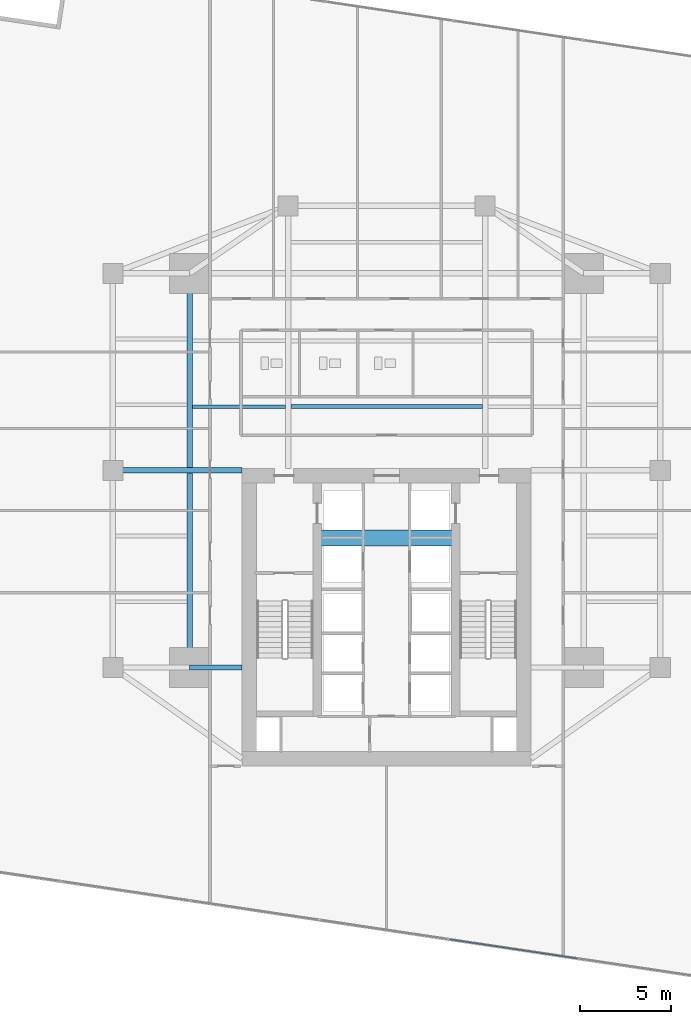
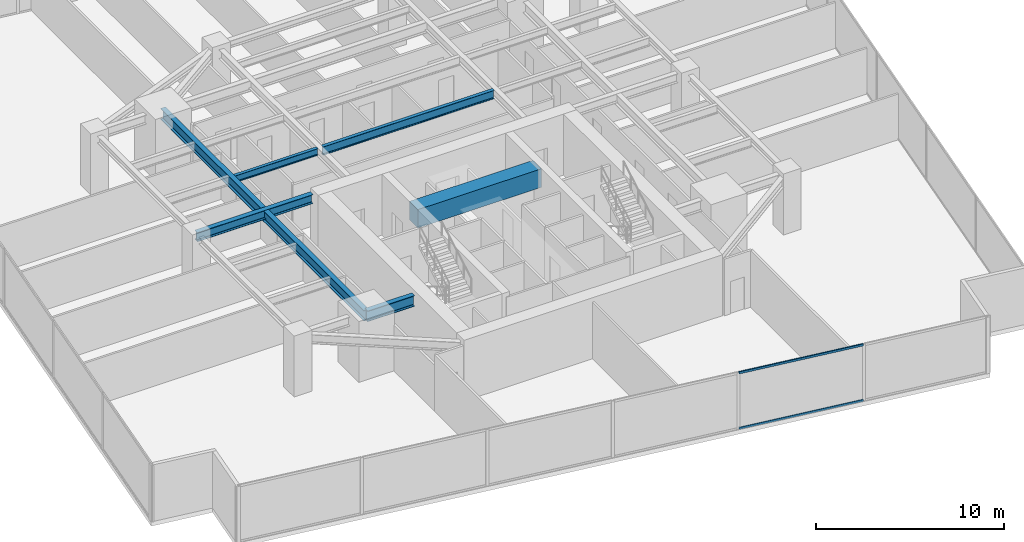
# One storey, part 9 of 29: 6 beams, 2 members, 1 element without a shape of its own.
"""IFC4 building model written with IfcOpenShell, lengths in metres."""

from ifc_helpers import new_model, si_unit, direction, frame, origin, origin_2d, place, context, subcontext, project, spatial, rectangle, hollow_rectangle, i_section, extrude, source, transform, mapped, material, material_profile, profile_set, type_object, type_shapes, element, aggregate, save


model = new_model("IFC4")

# Units and contexts
model_context = context("Model", 3, precision=1e-05, world=origin(), true_north=direction((0.0, 1.0)))
body_context = subcontext(model_context, "Body", "Model", "MODEL_VIEW")
ifc_project = project(units=[si_unit("LENGTHUNIT", "METRE"), si_unit("AREAUNIT", "SQUARE_METRE"), si_unit("VOLUMEUNIT", "CUBIC_METRE"), si_unit("PLANEANGLEUNIT", "RADIAN"), si_unit("MASSUNIT", "GRAM", prefix="KILO")], contexts=[model_context])

# Site, building, storey
site_placement = place(None, origin())
site = spatial("IfcSite", under=ifc_project, at=site_placement, CompositionType="ELEMENT")
building_placement = place(site_placement, origin())
building = spatial("IfcBuilding", under=site, at=building_placement, Name="Krantzveldt Concourse Tower", CompositionType="ELEMENT")
storey_placement = place(building_placement, frame((0.0, 0.0, 68.449951171875)))
storey = spatial("IfcBuildingStorey", under=building, at=storey_placement, Name="L16", CompositionType="ELEMENT", Elevation=68.449951171875)

# Beams
ifc_material_1 = material(Name="Concrete C50/60", Category="concrete")
ifc_material_profile_1 = material_profile(ifc_material_1, rectangle(XDim=0.89990234375, YDim=1.199951171875, at=origin_2d()), Name="Concrete C50/60", Category="concrete")
ifc_profile_set_1 = profile_set([ifc_material_profile_1], Name="Concrete C50/60 - RC-CB 900x1200")
beam_type_1 = type_object("IfcBeamType", Name="BM-CB-1200", PredefinedType="LINTEL", material=ifc_profile_set_1)
shared_shape_1 = source(origin(), body_context, "Body", "SweptSolid", [
    extrude(rectangle(XDim=0.89990234375, YDim=1.199951171875, at=origin_2d()), origin(), (0.0, 0.0, 1.0), 7.580078125),
])
type_shapes(beam_type_1, [shared_shape_1])
beam_1_placement = place(storey_placement, frame((32.2099609375, 23.0, 3.070068359375), z_axis=(1.0, 0.0, 0.0), x_axis=(0.0, 1.0, 0.0)))
element("IfcBeam", 1, at=beam_1_placement, inside=storey, type_object=beam_type_1, Name="CB-L16-01", PredefinedType="LINTEL", context=body_context, shape_type="MappedRepresentation", body=[
    mapped(shared_shape_1, transform((0.0, 0.0, 0.0), x_axis=(1.0, 0.0, 0.0), y_axis=(0.0, 1.0, 0.0), z_axis=(0.0, 0.0, 1.0), scale=1.0)),
])
ifc_material_2 = material(Name="Steel S355J2", Category="steel")
ifc_material_profile_2 = material_profile(ifc_material_2, i_section(OverallWidth=0.300048828125, OverallDepth=0.699951171875, WebThickness=0.01708984375, FlangeThickness=0.031982421875, FilletRadius=0.027099609375, at=origin_2d()), Name="Steel S355J2", Category="steel")
ifc_profile_set_2 = profile_set([ifc_material_profile_2], Name="Steel S355J2 - HEB 700")
beam_type_2 = type_object("IfcBeamType", Name="BM-B-HEB700", PredefinedType="BEAM", material=ifc_profile_set_2)
shared_shape_2 = source(origin(), body_context, "Body", "SweptSolid", [
    extrude(i_section(OverallWidth=0.300048828125, OverallDepth=0.699951171875, WebThickness=0.01708984375, FlangeThickness=0.031982421875, FilletRadius=0.027099609375, at=origin_2d()), origin(), (0.0, 0.0, 1.0), 2.880126953125),
])
beam_2_placement = place(storey_placement, frame((25.199951171875, 15.89990234375, 3.320068359375), z_axis=(1.0, 0.0, 0.0), x_axis=(0.0, 1.0, 0.0)))
element("IfcBeam", 2, at=beam_2_placement, inside=storey, type_object=beam_type_2, Name="L16 Tower Girder BG-CW1", PredefinedType="BEAM", context=body_context, shape_type="MappedRepresentation", body=[
    mapped(shared_shape_2, transform((0.0, 0.0, 0.0), x_axis=(1.0, 0.0, 0.0), y_axis=(0.0, 1.0, 0.0), z_axis=(0.0, 0.0, 1.0), scale=1.0)),
])
shared_shape_3 = source(origin(), body_context, "Body", "SweptSolid", [
    extrude(i_section(OverallWidth=0.300048828125, OverallDepth=0.699951171875, WebThickness=0.01708984375, FlangeThickness=0.031982421875, FilletRadius=0.027099609375, at=origin_2d()), origin(), (0.0, 0.0, 1.0), 21.60009765625),
])
type_shapes(beam_type_2, [shared_shape_2, shared_shape_3])
beam_3_placement = place(storey_placement, frame((25.199951171875, 15.89990234375, 3.320068359375), z_axis=(0.0, 1.0, 0.0), x_axis=(-1.0, 0.0, 0.0)))
element("IfcBeam", 3, at=beam_3_placement, inside=storey, type_object=beam_type_2, Name="L16 Tower Girder BG-MW", PredefinedType="BEAM", context=body_context, shape_type="MappedRepresentation", body=[
    mapped(shared_shape_3, transform((0.0, 0.0, 0.0), x_axis=(1.0, 0.0, 0.0), y_axis=(0.0, 1.0, 0.0), z_axis=(0.0, 0.0, 1.0), scale=1.0)),
])
ifc_material_3 = material(Name="Steel S355JR", Category="steel")
ifc_material_profile_3 = material_profile(ifc_material_3, i_section(OverallWidth=0.300048828125, OverallDepth=0.590087890625, WebThickness=0.012939453125, FlangeThickness=0.02490234375, FilletRadius=0.027099609375, at=origin_2d()), Name="Steel S355JR", Category="steel")
ifc_profile_set_3 = profile_set([ifc_material_profile_3], Name="Steel S355JR - HEA 600")
beam_type_3 = type_object("IfcBeamType", Name="BM-B-HEA600", PredefinedType="BEAM", material=ifc_profile_set_3)
shared_shape_4 = source(origin(), body_context, "Body", "SweptSolid", [
    extrude(i_section(OverallWidth=0.300048828125, OverallDepth=0.590087890625, WebThickness=0.012939453125, FlangeThickness=0.02490234375, FilletRadius=0.027099609375, at=origin_2d()), origin(), (0.0, 0.0, 1.0), 7.080078125),
])
type_shapes(beam_type_3, [shared_shape_4])
beam_4_placement = place(storey_placement, frame((21.0, 26.699951171875, 3.375), z_axis=(1.0, 0.0, 0.0), x_axis=(0.0, 1.0, 0.0)))
element("IfcBeam", 4, at=beam_4_placement, inside=storey, type_object=beam_type_3, Name="L16 Tower Girder BG-CW2", PredefinedType="BEAM", context=body_context, shape_type="MappedRepresentation", body=[
    mapped(shared_shape_4, transform((0.0, 0.0, 0.0), x_axis=(1.0, 0.0, 0.0), y_axis=(0.0, 1.0, 0.0), z_axis=(0.0, 0.0, 1.0), scale=1.0)),
])
ifc_material_profile_4 = material_profile(ifc_material_3, i_section(OverallWidth=0.2099609375, OverallDepth=0.550048828125, WebThickness=0.010986328125, FlangeThickness=0.01708984375, FilletRadius=0.02392578125, at=origin_2d()), Name="Steel S355JR", Category="steel")
ifc_profile_set_4 = profile_set([ifc_material_profile_4], Name="Steel S355JR - IPE 550")
beam_type_4 = type_object("IfcBeamType", Name="BM-J-IPE550", PredefinedType="JOIST", material=ifc_profile_set_4)
shared_shape_5 = source(origin(), body_context, "Body", "SweptSolid", [
    extrude(i_section(OverallWidth=0.2099609375, OverallDepth=0.550048828125, WebThickness=0.010986328125, FlangeThickness=0.01708984375, FilletRadius=0.02392578125, at=origin_2d()), origin(), (0.0, 0.0, 1.0), 10.5),
])
type_shapes(beam_type_4, [shared_shape_5])
beam_5_placement = place(storey_placement, frame((30.75, 30.199951171875, 3.39501953125), z_axis=(1.0, 0.0, 0.0), x_axis=(0.0, 1.0, 0.0)))
element("IfcBeam", 5, at=beam_5_placement, inside=storey, type_object=beam_type_4, Name="L16 Secondary Floor Joist JN-C1", PredefinedType="JOIST", context=body_context, shape_type="MappedRepresentation", body=[
    mapped(shared_shape_5, transform((0.0, 0.0, 0.0), x_axis=(1.0, 0.0, 0.0), y_axis=(0.0, 1.0, 0.0), z_axis=(0.0, 0.0, 1.0), scale=1.0)),
])
ifc_material_profile_5 = material_profile(ifc_material_3, i_section(OverallWidth=0.18994140625, OverallDepth=0.449951171875, WebThickness=0.009521484375, FlangeThickness=0.0146484375, FilletRadius=0.02099609375, at=origin_2d()), Name="Steel S355JR", Category="steel")
ifc_profile_set_5 = profile_set([ifc_material_profile_5], Name="Steel S355JR - IPE 450")
beam_type_5 = type_object("IfcBeamType", Name="BM-J-IPE450", PredefinedType="JOIST", material=ifc_profile_set_5)
shared_shape_6 = source(origin(), body_context, "Body", "SweptSolid", [
    extrude(i_section(OverallWidth=0.18994140625, OverallDepth=0.449951171875, WebThickness=0.009521484375, FlangeThickness=0.0146484375, FilletRadius=0.02099609375, at=origin_2d()), origin(), (0.0, 0.0, 1.0), 5.099853515625),
])
type_shapes(beam_type_5, [shared_shape_6])
beam_6_placement = place(storey_placement, frame((25.35009765625, 30.199951171875, 3.445068359375), z_axis=(1.0, 0.0, 0.0), x_axis=(0.0, 1.0, 0.0)))
element("IfcBeam", 6, at=beam_6_placement, inside=storey, type_object=beam_type_5, Name="L16 Secondary Floor Joist JN-W1", PredefinedType="JOIST", context=body_context, shape_type="MappedRepresentation", body=[
    mapped(shared_shape_6, transform((0.0, 0.0, 0.0), x_axis=(1.0, 0.0, 0.0), y_axis=(0.0, 1.0, 0.0), z_axis=(0.0, 0.0, 1.0), scale=1.0)),
])

# Curtain wall, members
ifc_material_4 = material(Name="Anodised aluminium 6063-T6", Category="aluminium")
curtain_wall_type = type_object("IfcCurtainWallType", Name="CW2", PredefinedType="USERDEFINED", material=ifc_material_4)
curtain_wall_placement = place(storey_placement, origin())
curtain_wall = element("IfcCurtainWall", 7, at=curtain_wall_placement, inside=storey, type_object=curtain_wall_type, Name="CW-L16-F04", ObjectType="UNITISED CURTAIN WALL", PredefinedType="USERDEFINED")
ifc_material_profile_6 = material_profile(ifc_material_4, hollow_rectangle(XDim=0.070068359375, YDim=0.139892578125, WallThickness=0.0048828125, at=origin_2d()), Name="Anodised aluminium 6063-T6", Category="aluminium")
ifc_profile_set_6 = profile_set([ifc_material_profile_6], Name="Anodised aluminium 6063-T6 - ALU-TRAN 140x70x5")
member_type = type_object("IfcMemberType", Name="CW-TRN-150", PredefinedType="USERDEFINED", material=ifc_profile_set_6)
shared_shape_7 = source(origin(), body_context, "Body", "SweptSolid", [
    extrude(hollow_rectangle(XDim=0.070068359375, YDim=0.139892578125, WallThickness=0.0048828125, at=origin_2d()), origin(), (0.0, 0.0, 1.0), 7.096435546875),
])
type_shapes(member_type, [shared_shape_7])
member_1_placement = place(storey_placement, frame((39.440673828125, 0.9990234375, 0.03515625), z_axis=(0.989017962398, -0.147795365468, 0.0), x_axis=(0.147795365468, 0.989017962398, 0.0)))
member_1 = element("IfcMember", 8, at=member_1_placement, type_object=member_type, Name="CW-Z12 transom 5.1", ObjectType="TRANSOM", PredefinedType="USERDEFINED", context=body_context, shape_type="MappedRepresentation", body=[
    mapped(shared_shape_7, transform((0.0, 0.0, 0.0), x_axis=(1.0, 0.0, 0.0), y_axis=(0.0, 1.0, 0.0), z_axis=(0.0, 0.0, 1.0), scale=1.0)),
])
member_2_placement = place(storey_placement, frame((39.440673828125, 0.9990234375, 3.635009765625), z_axis=(0.989017962398, -0.147795365468, 0.0), x_axis=(0.147795365468, 0.989017962398, 0.0)))
member_2 = element("IfcMember", 9, at=member_2_placement, type_object=member_type, Name="CW-Z12 transom 5.2", ObjectType="TRANSOM", PredefinedType="USERDEFINED", context=body_context, shape_type="MappedRepresentation", body=[
    mapped(shared_shape_7, transform((0.0, 0.0, 0.0), x_axis=(1.0, 0.0, 0.0), y_axis=(0.0, 1.0, 0.0), z_axis=(0.0, 0.0, 1.0), scale=1.0)),
])
aggregate(curtain_wall, [member_1, member_2])

save(model, "model.ifc")
